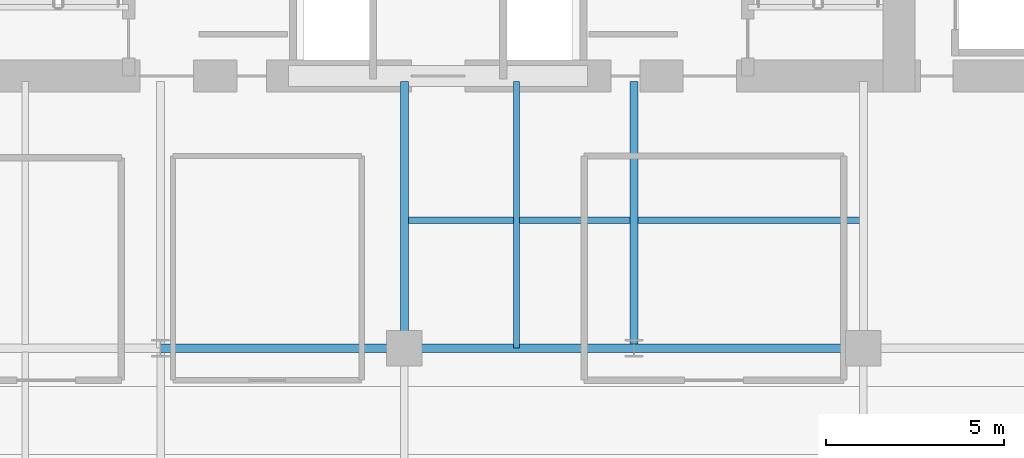
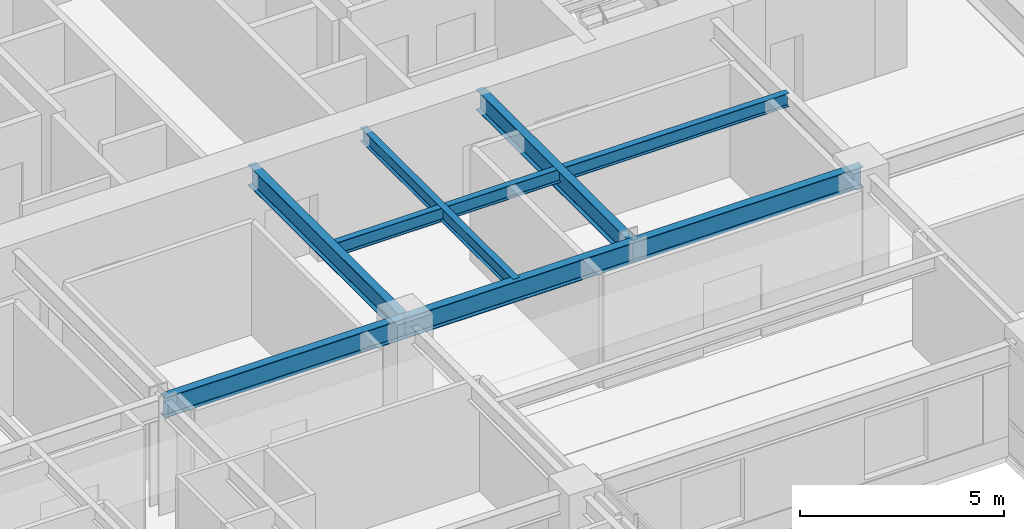
# One storey, part 6 of 25: 7 beams.
"""IFC4 building model written with IfcOpenShell, lengths in metres."""

import ifcopenshell
import ifcopenshell.guid

model = None  # the IFC model being written
_history = None  # IfcOwnerHistory: only IFC2X3 demands one
_inside = {}  # id of a spatial element -> (the spatial element, [elements in it])
_under = {}  # id of a project, library or spatial element -> (it, [spatial elements below it])
_declared = {}  # id of a project -> (the project, [libraries it declares])
_typed = {}  # id of a type object -> (the type object, [elements of that type])
_made_of = {}  # id of a material, layer set ... -> (it, [elements and type objects made of it])


def new_model(schema):
    """Start an empty IFC model of exactly this schema.

    Asked for "IFC4X3", IfcOpenShell would pick the latest addendum, in which some entities
    have other attributes; the version numbers below select the first issue.
    IFC2X3 requires an IfcOwnerHistory on every rooted entity: one is made here for all.
    """
    global model, _history
    if schema == "IFC4X3":
        model = ifcopenshell.file(schema_version=(4, 3, 0, 0))
    else:
        model = ifcopenshell.file(schema=schema)
    _inside.clear()
    _under.clear()
    _declared.clear()
    _typed.clear()
    _made_of.clear()
    _history = None
    if model.schema == "IFC2X3":
        org = make("IfcOrganization", Name="unknown")
        user = make(
            "IfcPersonAndOrganization",
            ThePerson=make("IfcPerson", FamilyName="unknown"),
            TheOrganization=org,
        )
        app = make(
            "IfcApplication",
            ApplicationDeveloper=org,
            Version="unknown",
            ApplicationFullName="unknown",
            ApplicationIdentifier="unknown",
        )
        _history = make(
            "IfcOwnerHistory",
            OwningUser=user,
            OwningApplication=app,
            ChangeAction="ADDED",
            CreationDate=0,
        )
    return model


def make(cls, **values):
    """One entity of the class cls with the attributes given. An attribute that is None is left unset."""
    return model.create_entity(
        cls, **{name: value for name, value in values.items() if value is not None}
    )


def rooted(cls, **values):
    """An entity with a GlobalId (a new one), such as an element, a storey or a relation."""
    return make(cls, GlobalId=ifcopenshell.guid.new(), OwnerHistory=_history, **values)


def si_unit(unit_type, name, prefix=None):
    """IfcSIUnit, for example si_unit("LENGTHUNIT", "METRE", prefix="MILLI")."""
    return make("IfcSIUnit", UnitType=unit_type, Prefix=prefix, Name=name)


def assignment(units):
    """IfcUnitAssignment: the units of a project."""
    return None if units is None else make("IfcUnitAssignment", Units=units)


def point(xyz):
    """IfcCartesianPoint."""
    return None if xyz is None else make("IfcCartesianPoint", Coordinates=xyz)


def direction(xyz):
    """IfcDirection."""
    return None if xyz is None else make("IfcDirection", DirectionRatios=xyz)


def frame(location, z_axis=None, x_axis=None):
    """IfcAxis2Placement3D, a coordinate frame: its origin and axes. An axis left out is left unset."""
    return make(
        "IfcAxis2Placement3D",
        Location=point(location),
        Axis=direction(z_axis),
        RefDirection=direction(x_axis),
    )


def frame_2d(location, x_axis=None):
    """IfcAxis2Placement2D, a coordinate frame in the plane: its origin and x axis."""
    return make(
        "IfcAxis2Placement2D", Location=point(location), RefDirection=direction(x_axis)
    )


def origin():
    """The frame at (0, 0, 0) with its axes left unset."""
    return frame((0.0, 0.0, 0.0))


def origin_2d():
    """The frame at (0, 0) in the plane with its x axis left unset."""
    return frame_2d((0.0, 0.0))


def place(relative_to, where):
    """IfcLocalPlacement: puts the frame where relative to a parent placement (None: the world)."""
    return make(
        "IfcLocalPlacement", PlacementRelTo=relative_to, RelativePlacement=where
    )


def context(
    kind, dimensions, precision=None, world=None, true_north=None, identifier=None
):
    """IfcGeometricRepresentationContext, for example the 3D "Model" context."""
    return make(
        "IfcGeometricRepresentationContext",
        ContextIdentifier=identifier,
        ContextType=kind,
        CoordinateSpaceDimension=dimensions,
        Precision=precision,
        WorldCoordinateSystem=world,
        TrueNorth=true_north,
    )


def subcontext(parent, identifier, kind, view, scale=None):
    """IfcGeometricRepresentationSubContext, for example "Body" below "Model"."""
    return make(
        "IfcGeometricRepresentationSubContext",
        ContextIdentifier=identifier,
        ContextType=kind,
        ParentContext=parent,
        TargetScale=scale,
        TargetView=view,
    )


def project(units=None, contexts=None):
    """IfcProject with its units and contexts."""
    return rooted(
        "IfcProject",
        Name="project",
        RepresentationContexts=contexts,
        UnitsInContext=assignment(units),
    )


def spatial(cls, under=None, at=None, **own):
    """A site, building, storey or space (cls), placed at a placement, below another one or the project."""
    s = rooted(cls, ObjectPlacement=at, **own)
    if under is not None:
        _under.setdefault(under.id(), (under, []))[1].append(s)
    return s


def profile(cls, at=None, kind="AREA", **sizes):
    """A parametric profile (cls). Its sizes go by their IFC names, for example OverallWidth=200.0."""
    return make(cls, ProfileType=kind, Position=at, **sizes)


def i_section(**sizes):
    """IfcIShapeProfileDef."""
    return profile("IfcIShapeProfileDef", **sizes)


def extrude(swept, where, along, depth):
    """IfcExtrudedAreaSolid: the profile swept, set in the frame where, extruded along a direction by depth."""
    return make(
        "IfcExtrudedAreaSolid",
        SweptArea=swept,
        Position=where,
        ExtrudedDirection=direction(along),
        Depth=depth,
    )


def shape(context_of_items, identifier, shape_type, items):
    """IfcShapeRepresentation: the items that make up one representation, for example the "Body"."""
    return make(
        "IfcShapeRepresentation",
        ContextOfItems=context_of_items,
        RepresentationIdentifier=identifier,
        RepresentationType=shape_type,
        Items=items,
    )


def source(mapping_origin, context_of_items, identifier, shape_type, items):
    """IfcRepresentationMap: a shape defined once, which mapped items show again and again."""
    return make(
        "IfcRepresentationMap",
        MappingOrigin=mapping_origin,
        MappedRepresentation=shape(context_of_items, identifier, shape_type, items),
    )


def transform(
    local_origin,
    x_axis=None,
    y_axis=None,
    z_axis=None,
    scale=None,
    scale2=None,
    scale3=None,
    uniform=True,
):
    """IfcCartesianTransformationOperator3D, or its non-uniform kind. x_axis, y_axis, z_axis: its Axis1, 2, 3."""
    if uniform:
        return make(
            "IfcCartesianTransformationOperator3D",
            Axis1=direction(x_axis),
            Axis2=direction(y_axis),
            LocalOrigin=point(local_origin),
            Scale=scale,
            Axis3=direction(z_axis),
        )
    return make(
        "IfcCartesianTransformationOperator3DnonUniform",
        Axis1=direction(x_axis),
        Axis2=direction(y_axis),
        LocalOrigin=point(local_origin),
        Scale=scale,
        Axis3=direction(z_axis),
        Scale2=scale2,
        Scale3=scale3,
    )


def mapped(mapping_source, mapping_target):
    """IfcMappedItem: shows the shape of a source again, moved by a transform."""
    return make(
        "IfcMappedItem", MappingSource=mapping_source, MappingTarget=mapping_target
    )


def material(Name=None, Category=None):
    """IfcMaterial."""
    return make("IfcMaterial", Name=Name, Category=Category)


def material_profile(
    of_material, cross_section, Name=None, Category=None, Priority=None
):
    """IfcMaterialProfile: a cross section and its material."""
    return make(
        "IfcMaterialProfile",
        Name=Name,
        Material=of_material,
        Profile=cross_section,
        Priority=Priority,
        Category=Category,
    )


def profile_set(profiles, Name=None, composite=None):
    """IfcMaterialProfileSet."""
    return make(
        "IfcMaterialProfileSet",
        Name=Name,
        MaterialProfiles=profiles,
        CompositeProfile=composite,
    )


def made_of(thing, what):
    """Note that an element or type object is made of a material, layer set ...; save() writes the relation."""
    if what is not None:
        _made_of.setdefault(what.id(), (what, []))[1].append(thing)
    return thing


def type_object(cls, material=None, **own):
    """A type object (cls), such as IfcWallType, which elements share."""
    return made_of(rooted(cls, **own), material)


def type_shapes(of_type, sources):
    """Give a type object the sources (RepresentationMaps) that its elements show as mapped items."""
    of_type.RepresentationMaps = sources


def element(
    cls,
    number,
    at=None,
    inside=None,
    cuts=None,
    type_object=None,
    material=None,
    context=None,
    identifier="Body",
    shape_type=None,
    held_by="IfcProductDefinitionShape",
    body=None,
    shapes=None,
    **own,
):
    """One element of the class cls, such as IfcWall. Its Tag is "e" and its number.

    at: its placement. inside: the storey or other place that contains it. cuts: it is an
    opening in that element (IfcRelVoidsElement). A single representation is given by context,
    identifier, shape_type and body (its items); several are given by shapes. held_by: the class
    of the entity that holds the representations. save() writes the other relations.
    """
    e = rooted(cls, Tag="e%d" % number, ObjectPlacement=at, **own)
    if body is not None:
        shapes = [shape(context, identifier, shape_type, body)]
    if shapes is not None:
        e.Representation = make(held_by, Representations=shapes)
    if inside is not None:
        _inside.setdefault(inside.id(), (inside, []))[1].append(e)
    if cuts is not None:
        rooted(
            "IfcRelVoidsElement", RelatingBuildingElement=cuts, RelatedOpeningElement=e
        )
    if type_object is not None:
        _typed.setdefault(type_object.id(), (type_object, []))[1].append(e)
    return made_of(e, material)


def aggregate(whole, parts):
    """IfcRelAggregates: a whole, such as a stair, and the parts it consists of."""
    return rooted("IfcRelAggregates", RelatingObject=whole, RelatedObjects=parts)


def save(model, path):
    """Write the relations noted so far, then the file.

    IfcRelAggregates (storeys below a building ...), IfcRelContainedInSpatialStructure (elements
    in a storey), IfcRelDefinesByType, IfcRelAssociatesMaterial and IfcRelDeclares: one each for
    every whole, place, type object, material and project.
    """
    for whole, parts in _under.values():
        aggregate(whole, parts)
    for where, things in _inside.values():
        rooted(
            "IfcRelContainedInSpatialStructure",
            RelatedElements=things,
            RelatingStructure=where,
        )
    for kind, things in _typed.values():
        rooted("IfcRelDefinesByType", RelatedObjects=things, RelatingType=kind)
    for what, things in _made_of.values():
        rooted("IfcRelAssociatesMaterial", RelatedObjects=things, RelatingMaterial=what)
    for by, libraries in _declared.values():
        rooted("IfcRelDeclares", RelatingContext=by, RelatedDefinitions=libraries)
    model.write(path)


model = new_model("IFC4")

# Units and contexts
model_context = context("Model", 3, precision=1e-05, world=origin(), true_north=direction((0.0, 1.0)))
body_context = subcontext(model_context, "Body", "Model", "MODEL_VIEW")
ifc_project = project(units=[si_unit("LENGTHUNIT", "METRE"), si_unit("AREAUNIT", "SQUARE_METRE"), si_unit("VOLUMEUNIT", "CUBIC_METRE"), si_unit("PLANEANGLEUNIT", "RADIAN"), si_unit("MASSUNIT", "GRAM", prefix="KILO")], contexts=[model_context])

# Site, building, storey
site_placement = place(None, origin())
site = spatial("IfcSite", under=ifc_project, at=site_placement, CompositionType="ELEMENT")
building_placement = place(site_placement, origin())
building = spatial("IfcBuilding", under=site, at=building_placement, Name="Tolvann Quenvar Hotel", CompositionType="ELEMENT")
storey_placement = place(building_placement, frame((0.0, 0.0, 39.10009765625)))
storey = spatial("IfcBuildingStorey", under=building, at=storey_placement, Name="L08", CompositionType="ELEMENT", Elevation=39.10009765625)

# Beams
ifc_material = material(Name="Steel Grade 350", Category="steel")
ifc_material_profile_1 = material_profile(ifc_material, i_section(OverallWidth=0.22900390625, OverallDepth=0.612060546875, WebThickness=0.011962890625, FlangeThickness=0.01953125, FilletRadius=0.013916015625, at=origin_2d()), Name="610UB125")
ifc_profile_set_1 = profile_set([ifc_material_profile_1], Name="Steel Grade 350")
beam_type_1 = type_object("IfcBeamType", Name="BM_GIRD_610UB125", PredefinedType="BEAM", material=ifc_profile_set_1)
shared_shape_1 = source(origin(), body_context, "Body", "SweptSolid", [
    extrude(i_section(OverallWidth=0.22900390625, OverallDepth=0.612060546875, WebThickness=0.011962890625, FlangeThickness=0.01953125, FilletRadius=0.013916015625, at=origin_2d()), origin(), (0.0, 0.0, 1.0), 6.85009765625),
])
beam_1_placement = place(storey_placement, frame((15.199951171875, 24.39990234375, 3.06396484375), z_axis=(1.0, 0.0, 0.0), x_axis=(0.0, 1.0, 0.0)))
element("IfcBeam", 1, at=beam_1_placement, inside=storey, type_object=beam_type_1, Name="BM-L08-EW-5-D5-E5", PredefinedType="BEAM", context=body_context, shape_type="MappedRepresentation", body=[
    mapped(shared_shape_1, transform((0.0, 0.0, 0.0), x_axis=(1.0, 0.0, 0.0), y_axis=(0.0, 1.0, 0.0), z_axis=(0.0, 0.0, 1.0), scale=1.0)),
])
shared_shape_2 = source(origin(), body_context, "Body", "SweptSolid", [
    extrude(i_section(OverallWidth=0.22900390625, OverallDepth=0.612060546875, WebThickness=0.011962890625, FlangeThickness=0.01953125, FilletRadius=0.013916015625, at=origin_2d()), origin(), (0.0, 0.0, 1.0), 6.449951171875),
])
for number, where, z_axis, x_axis, name in (
    (2, (22.050048828125, 24.39990234375, 3.06396484375), (1.0, 0.0, 0.0), (0.0, 1.0, 0.0), "BM-L08-EW-5-E5-M5"),
    (3, (28.5, 24.39990234375, 3.06396484375), (1.0, 0.0, 0.0), (0.0, 1.0, 0.0), "BM-L08-EW-5-M5-F5"),
):
    element("IfcBeam", number, at=place(storey_placement, frame(where, z_axis=z_axis, x_axis=x_axis)), inside=storey, type_object=beam_type_1, Name=name, PredefinedType="BEAM", context=body_context, shape_type="MappedRepresentation", body=[
        mapped(shared_shape_2, transform((0.0, 0.0, 0.0), x_axis=(1.0, 0.0, 0.0), y_axis=(0.0, 1.0, 0.0), z_axis=(0.0, 0.0, 1.0), scale=1.0)),
    ])
shared_shape_3 = source(origin(), body_context, "Body", "SweptSolid", [
    extrude(i_section(OverallWidth=0.22900390625, OverallDepth=0.612060546875, WebThickness=0.011962890625, FlangeThickness=0.01953125, FilletRadius=0.013916015625, at=origin_2d()), origin(), (0.0, 0.0, 1.0), 7.5),
])
type_shapes(beam_type_1, [shared_shape_1, shared_shape_2, shared_shape_3])
for number, where, z_axis, x_axis, name in (
    (4, (22.050048828125, 24.39990234375, 3.06396484375), (0.0, 1.0, 0.0), (-1.0, 0.0, 0.0), "BM-L08-CORE-E5"),
    (5, (28.5, 24.39990234375, 3.06396484375), (0.0, 1.0, 0.0), (-1.0, 0.0, 0.0), "BM-L08-CORE-M5"),
):
    element("IfcBeam", number, at=place(storey_placement, frame(where, z_axis=z_axis, x_axis=x_axis)), inside=storey, type_object=beam_type_1, Name=name, PredefinedType="BEAM", context=body_context, shape_type="MappedRepresentation", body=[
        mapped(shared_shape_3, transform((0.0, 0.0, 0.0), x_axis=(1.0, 0.0, 0.0), y_axis=(0.0, 1.0, 0.0), z_axis=(0.0, 0.0, 1.0), scale=1.0)),
    ])
ifc_material_profile_2 = material_profile(ifc_material, i_section(OverallWidth=0.177978515625, OverallDepth=0.406005859375, WebThickness=0.0078125, FlangeThickness=0.0126953125, FilletRadius=0.011474609375, at=origin_2d()), Name="410UB60")
ifc_profile_set_2 = profile_set([ifc_material_profile_2], Name="Steel Grade 350")
beam_type_2 = type_object("IfcBeamType", Name="BM_JOIST_410UB60", PredefinedType="JOIST", material=ifc_profile_set_2)
shared_shape_4 = source(origin(), body_context, "Body", "SweptSolid", [
    extrude(i_section(OverallWidth=0.177978515625, OverallDepth=0.406005859375, WebThickness=0.0078125, FlangeThickness=0.0126953125, FilletRadius=0.011474609375, at=origin_2d()), origin(), (0.0, 0.0, 1.0), 12.89990234375),
])
beam_2_placement = place(storey_placement, frame((22.050048828125, 28.0, 3.1669921875), z_axis=(1.0, 0.0, 0.0), x_axis=(0.0, 1.0, 0.0)))
element("IfcBeam", 6, at=beam_2_placement, inside=storey, type_object=beam_type_2, Name="BM-L08-SPINE-28", PredefinedType="JOIST", context=body_context, shape_type="MappedRepresentation", body=[
    mapped(shared_shape_4, transform((0.0, 0.0, 0.0), x_axis=(1.0, 0.0, 0.0), y_axis=(0.0, 1.0, 0.0), z_axis=(0.0, 0.0, 1.0), scale=1.0)),
])
shared_shape_5 = source(origin(), body_context, "Body", "SweptSolid", [
    extrude(i_section(OverallWidth=0.177978515625, OverallDepth=0.406005859375, WebThickness=0.0078125, FlangeThickness=0.0126953125, FilletRadius=0.011474609375, at=origin_2d()), origin(), (0.0, 0.0, 1.0), 7.5),
])
type_shapes(beam_type_2, [shared_shape_4, shared_shape_5])
beam_3_placement = place(storey_placement, frame((25.199951171875, 24.39990234375, 3.1669921875), z_axis=(0.0, 1.0, 0.0), x_axis=(-1.0, 0.0, 0.0)))
element("IfcBeam", 7, at=beam_3_placement, inside=storey, type_object=beam_type_2, Name="BJ-L08-252-244", PredefinedType="JOIST", context=body_context, shape_type="MappedRepresentation", body=[
    mapped(shared_shape_5, transform((0.0, 0.0, 0.0), x_axis=(1.0, 0.0, 0.0), y_axis=(0.0, 1.0, 0.0), z_axis=(0.0, 0.0, 1.0), scale=1.0)),
])

save(model, "model.ifc")
